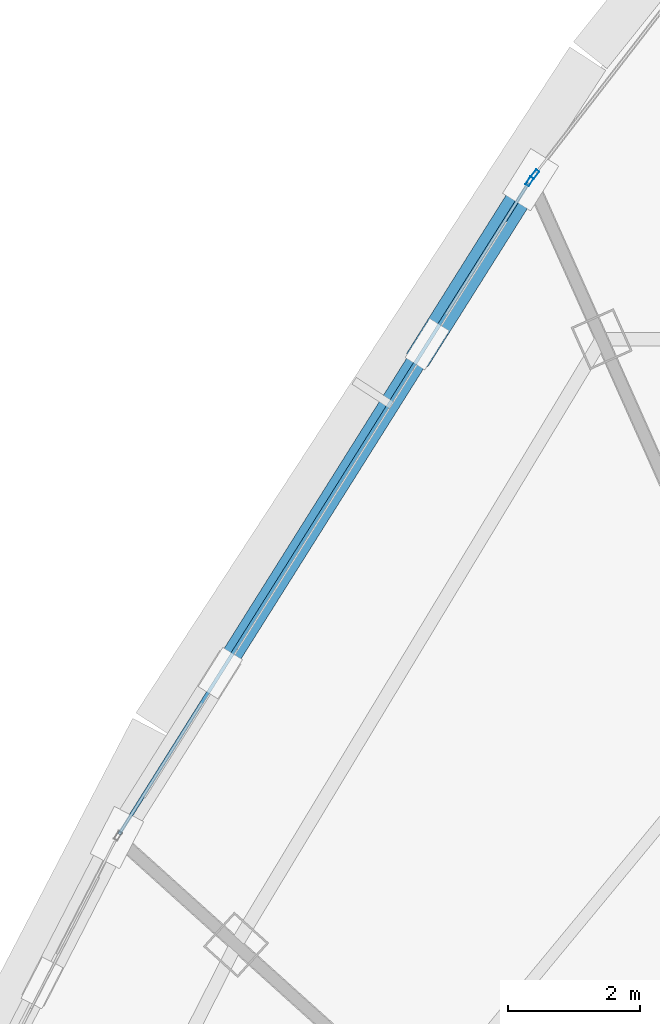
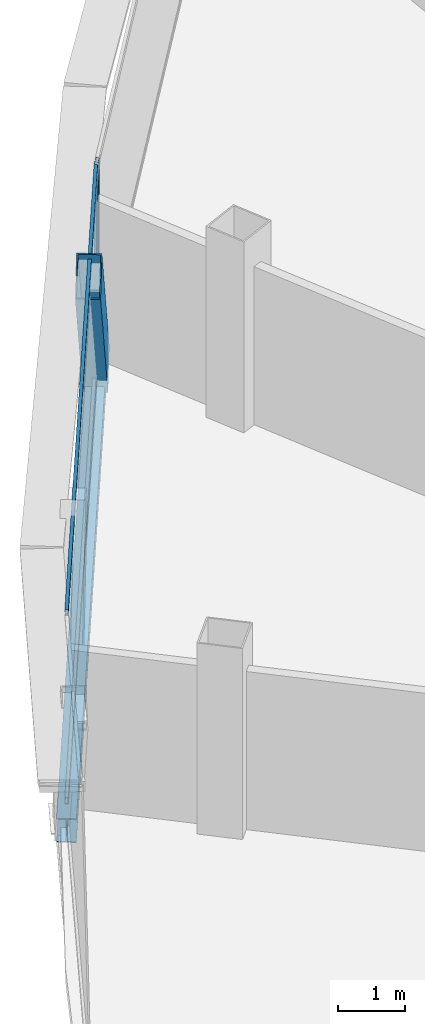
# One storey, part 17 of 30: 5 members, 1 beam, 2 elements without a shape of their own.
"""IFC4 building model written with IfcOpenShell, lengths in metres."""

from ifc_helpers import new_model, si_unit, direction, frame, origin, origin_2d, place, context, subcontext, project, spatial, hollow_rectangle, i_section, extrude, source, transform, mapped, material, layer, layer_set, material_profile, profile_set, type_object, element, aggregate, save


model = new_model("IFC4")

# Units and contexts
model_context = context("Model", 3, precision=1e-05, world=origin(), true_north=direction((0.0, 1.0)))
body_context = subcontext(model_context, "Body", "Model", "MODEL_VIEW")
ifc_project = project(units=[si_unit("LENGTHUNIT", "METRE"), si_unit("AREAUNIT", "SQUARE_METRE"), si_unit("VOLUMEUNIT", "CUBIC_METRE"), si_unit("PLANEANGLEUNIT", "RADIAN"), si_unit("MASSUNIT", "GRAM", prefix="KILO"), si_unit("THERMODYNAMICTEMPERATUREUNIT", "KELVIN"), si_unit("POWERUNIT", "WATT")], contexts=[model_context])

# Site, building, storey
site_placement = place(None, origin())
site = spatial("IfcSite", under=ifc_project, at=site_placement, CompositionType="ELEMENT")
building_placement = place(site_placement, origin())
building = spatial("IfcBuilding", under=site, at=building_placement, Name="Yunzhuo Pagoda Commons", CompositionType="ELEMENT")
storey_placement = place(building_placement, frame((0.0, 0.0, 351.760009765625)))
storey = spatial("IfcBuildingStorey", under=building, at=storey_placement, Name="L88", CompositionType="ELEMENT", Elevation=351.760009765625)

# Beam
ifc_material_1 = material(Name="Structural steel Q355B", Category="steel")
ifc_material_profile_1 = material_profile(ifc_material_1, i_section(OverallWidth=0.300048828125, OverallDepth=0.43994140625, WebThickness=0.010986328125, FlangeThickness=0.01806640625, at=origin_2d()), Name="Structural steel Q355B")
ifc_profile_set_1 = profile_set([ifc_material_profile_1], Name="Structural steel Q355B")
beam_type = type_object("IfcBeamType", Name="B-SP2 Beam HM 440x300x11x18", PredefinedType="BEAM", material=ifc_profile_set_1)
shared_shape_1 = source(origin(), body_context, "Body", "SweptSolid", [
    extrude(i_section(OverallWidth=0.300048828125, OverallDepth=0.43994140625, WebThickness=0.010986328125, FlangeThickness=0.01806640625, at=origin_2d()), origin(), (0.0, 0.0, 1.0), 11.74462890625),
])
beam_placement = place(storey_placement, frame((36.427734375, 59.69140625, -0.47998046875), z_axis=(-0.532345654655, -0.846527084014, 0.0), x_axis=(0.846527084014, -0.532345654655, 0.0)))
element("IfcBeam", 1, at=beam_placement, inside=storey, type_object=beam_type, Name="L88 facade edge spandrel beam F3.1", PredefinedType="BEAM", context=body_context, shape_type="MappedRepresentation", body=[
    mapped(shared_shape_1, transform((0.0, 0.0, 0.0), scale=1.0)),
])

# Member
ifc_material_profile_2 = material_profile(ifc_material_1, hollow_rectangle(XDim=0.3798828125, YDim=0.719970703125, WallThickness=0.02001953125, at=origin_2d()), Name="Structural steel Q355B")
ifc_profile_set_2 = profile_set([ifc_material_profile_2], Name="Structural steel Q355B")
member_type_1 = type_object("IfcMemberType", Name="M-DL3 Brace BOX 720x380x20", PredefinedType="BRACE", material=ifc_profile_set_2)
shared_shape_2 = source(origin(), body_context, "Body", "SweptSolid", [
    extrude(hollow_rectangle(XDim=0.3798828125, YDim=0.719970703125, WallThickness=0.02001953125, at=origin_2d()), origin(), (0.0, 0.0, 1.0), 4.7626953125),
])
member_1_placement = place(storey_placement, frame((36.427734375, 59.69140625, -0.260009765625), z_axis=(-0.328179292087, -0.521847109255, 0.787384243434), x_axis=(0.846518778159, -0.532358862257, 0.0)))
element("IfcMember", 2, at=member_1_placement, inside=storey, type_object=member_type_1, Name="L88 facade diamond brace F3.1L", PredefinedType="BRACE", context=body_context, shape_type="MappedRepresentation", body=[
    mapped(shared_shape_2, transform((0.0, 0.0, 0.0), scale=1.0)),
])

# Curtain wall, member
ifc_material_2 = material(Name="Anodized aluminium 6063-T6", Category="aluminium")
ifc_layer = layer(ifc_material_2, 0.139892578125)
ifc_layer_set = layer_set([ifc_layer], Name="Anodized aluminium 6063-T6")
curtain_wall_type = type_object("IfcCurtainWallType", Name="CW-HI High-Zone Ribbon Curtain Wall", PredefinedType="NOTDEFINED", material=ifc_layer_set)
curtain_wall_1_placement = place(storey_placement, origin())
curtain_wall_1 = element("IfcCurtainWall", 3, at=curtain_wall_1_placement, inside=storey, type_object=curtain_wall_type, Name="L88 curtain wall CW-L88-F3B2", PredefinedType="NOTDEFINED")
ifc_material_profile_3 = material_profile(ifc_material_2, hollow_rectangle(XDim=0.06005859375, YDim=0.139892578125, WallThickness=0.00341796875, at=origin_2d()), Name="Anodized aluminium 6063-T6")
ifc_profile_set_3 = profile_set([ifc_material_profile_3], Name="Anodized aluminium 6063-T6")
member_type_2 = type_object("IfcMemberType", Name="CW-HI-M Mullion RHS 140x60x3.5", PredefinedType="MULLION", material=ifc_profile_set_3)
shared_shape_3 = source(origin(), body_context, "Body", "SweptSolid", [
    extrude(hollow_rectangle(XDim=0.06005859375, YDim=0.139892578125, WallThickness=0.00341796875, at=origin_2d()), origin(), (0.0, 0.0, 1.0), 3.489990234375),
])
member_2_placement = place(storey_placement, frame((36.411865234375, 59.666015625, 0.0), z_axis=(0.0, 0.0, 1.0), x_axis=(0.846524621891, -0.532349569861, 0.0)))
member_2 = element("IfcMember", 4, at=member_2_placement, type_object=member_type_2, Name="CW mullion 1", PredefinedType="MULLION", context=body_context, shape_type="MappedRepresentation", body=[
    mapped(shared_shape_3, transform((0.0, 0.0, 0.0), scale=1.0)),
])

curtain_wall_2_placement = place(storey_placement, origin())
curtain_wall_2 = element("IfcCurtainWall", 5, at=curtain_wall_2_placement, inside=storey, type_object=curtain_wall_type, Name="L88 curtain wall CW-L88-F3B1", PredefinedType="NOTDEFINED")
member_3_placement = place(storey_placement, frame((36.491943359375, 59.7744140625, 0.0), z_axis=(0.0, 0.0, 1.0), x_axis=(0.790927145065, -0.611910329378, 0.0)))
member_3 = element("IfcMember", 6, at=member_3_placement, type_object=member_type_2, Name="CW mullion 2", PredefinedType="MULLION", context=body_context, shape_type="MappedRepresentation", body=[
    mapped(shared_shape_3, transform((0.0, 0.0, 0.0), scale=1.0)),
])
aggregate(curtain_wall_2, [member_3])

# Member
ifc_material_profile_4 = material_profile(ifc_material_2, hollow_rectangle(XDim=0.054931640625, YDim=0.1201171875, WallThickness=0.00341796875, at=origin_2d()), Name="Anodized aluminium 6063-T6")
ifc_profile_set_4 = profile_set([ifc_material_profile_4], Name="Anodized aluminium 6063-T6")
member_type_3 = type_object("IfcMemberType", Name="CW-HI-T Transom RHS 120x55x3.5", PredefinedType="USERDEFINED", material=ifc_profile_set_4)
shared_shape_4 = source(origin(), body_context, "Body", "SweptSolid", [
    extrude(hollow_rectangle(XDim=0.054931640625, YDim=0.1201171875, WallThickness=0.00341796875, at=origin_2d()), origin(), (0.0, 0.0, 1.0), 11.62451171875),
])
member_4_placement = place(storey_placement, frame((36.395751953125, 59.640625, 0.027587890625), z_axis=(-0.532324660468, -0.846540286021, 0.0), x_axis=(0.846540286021, -0.532324660468, 0.0)))
member_4 = element("IfcMember", 7, at=member_4_placement, type_object=member_type_3, Name="CW transom 1.1", ObjectType="TRANSOM", PredefinedType="USERDEFINED", context=body_context, shape_type="MappedRepresentation", body=[
    mapped(shared_shape_4, transform((0.0, 0.0, 0.0), scale=1.0)),
])

member_5_placement = place(storey_placement, frame((36.395751953125, 59.640625, 3.46240234375), z_axis=(-0.532324660468, -0.846540286021, 0.0), x_axis=(0.846540286021, -0.532324660468, 0.0)))
member_5 = element("IfcMember", 8, at=member_5_placement, type_object=member_type_3, Name="CW transom 1.2", ObjectType="TRANSOM", PredefinedType="USERDEFINED", context=body_context, shape_type="MappedRepresentation", body=[
    mapped(shared_shape_4, transform((0.0, 0.0, 0.0), scale=1.0)),
])

aggregate(curtain_wall_1, [member_2, member_4, member_5])

save(model, "model.ifc")
